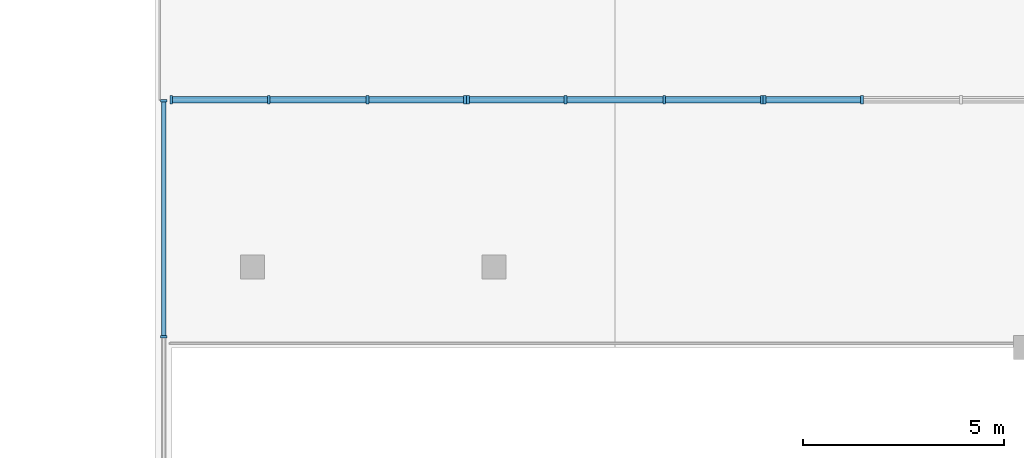
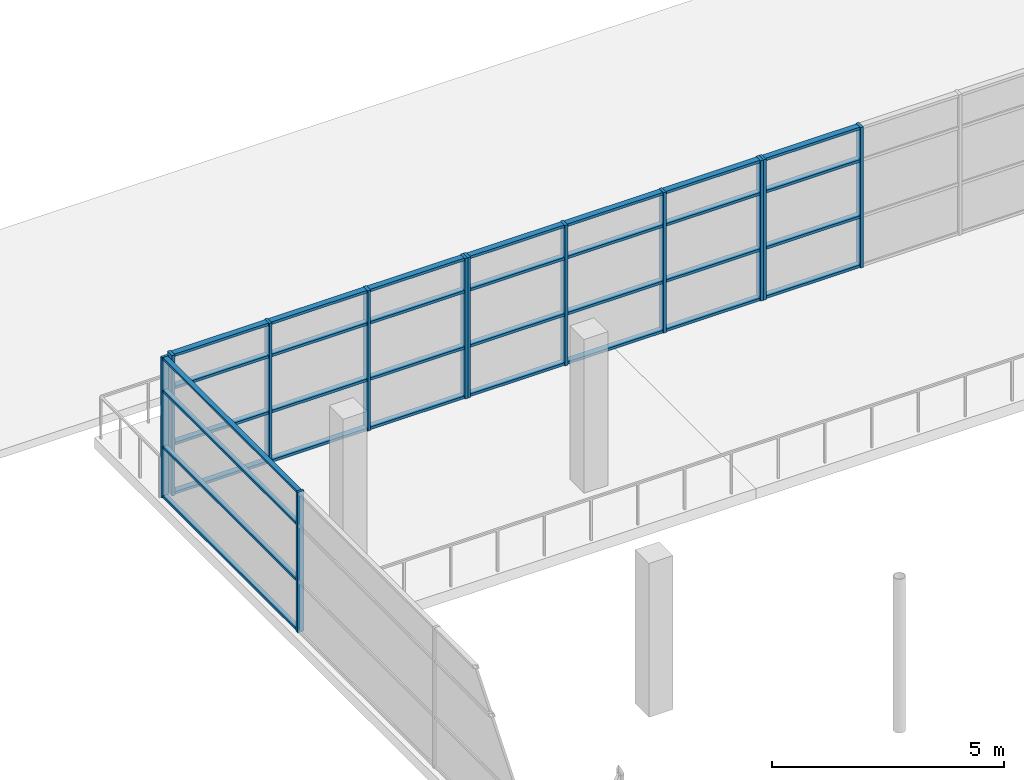
# One storey, part 43 of 87: 44 members, 4 elements without a shape of their own.
"""IFC4 building model written with IfcOpenShell, lengths in metres."""

from ifc_helpers import new_model, si_unit, direction, frame, origin, origin_2d, place, context, subcontext, project, spatial, rectangle, extrude, material, material_profile, profile_set, type_object, element, aggregate, save


model = new_model("IFC4")

# Units and contexts
model_context = context("Model", 3, precision=1e-05, world=origin(), true_north=direction((0.0, 1.0)))
body_context = subcontext(model_context, "Body", "Model", "MODEL_VIEW")
ifc_project = project(units=[si_unit("LENGTHUNIT", "METRE"), si_unit("AREAUNIT", "SQUARE_METRE"), si_unit("VOLUMEUNIT", "CUBIC_METRE"), si_unit("PLANEANGLEUNIT", "RADIAN"), si_unit("MASSUNIT", "GRAM", prefix="KILO")], contexts=[model_context])

# Site, building, storey
site_placement = place(None, origin())
site = spatial("IfcSite", under=ifc_project, at=site_placement, CompositionType="ELEMENT")
building_placement = place(site_placement, origin())
building = spatial("IfcBuilding", under=site, at=building_placement, Name="Saryqyr Civic Hall", CompositionType="ELEMENT")
storey_placement = place(building_placement, frame((0.0, 0.0, 5.10009765625)))
storey = spatial("IfcBuildingStorey", under=building, at=storey_placement, Name="L01", CompositionType="ELEMENT", Elevation=5.10009765625)

# Curtain wall, members
ifc_material_1 = material(Name="Anodised aluminium and triple low-E glass", Category="aluminium")
curtain_wall_type_1 = type_object("IfcCurtainWallType", Name="ENV-CW-STD-72", PredefinedType="NOTDEFINED", material=ifc_material_1)
curtain_wall_1_placement = place(storey_placement, origin())
curtain_wall_1 = element("IfcCurtainWall", 1, at=curtain_wall_1_placement, inside=storey, type_object=curtain_wall_type_1, Name="Curtain wall V2-VESTFLK-NW-L01", PredefinedType="NOTDEFINED")
ifc_material_2 = material(Name="Anodised aluminium", Category="aluminium")
ifc_material_profile_1 = material_profile(ifc_material_2, rectangle(XDim=0.06005859375, YDim=0.159912109375, at=origin_2d()), Name="ALU MULLION 60x160")
ifc_profile_set_1 = profile_set([ifc_material_profile_1], Name="Anodised aluminium")
member_type_1 = type_object("IfcMemberType", Name="ENV-CW-MUL-180", PredefinedType="MULLION", material=ifc_profile_set_1)
member_1_placement = place(storey_placement, frame((45.800048828125, 128.2666015625, 0.0), z_axis=(0.0, 0.0, 1.0), x_axis=(0.0, 1.0, 0.0)))
member_1 = element("IfcMember", 2, at=member_1_placement, type_object=member_type_1, Name="CW-72 mullion 3", PredefinedType="MULLION", context=body_context, shape_type="SweptSolid", body=[
    extrude(rectangle(XDim=0.06005859375, YDim=0.159912109375, at=origin_2d()), origin(), (0.0, 0.0, 1.0), 3.699951171875),
])
member_2_placement = place(storey_placement, frame((45.800048828125, 134.1201171875, 0.0), z_axis=(0.0, 0.0, 1.0), x_axis=(0.0, 1.0, 0.0)))
member_2 = element("IfcMember", 3, at=member_2_placement, type_object=member_type_1, Name="CW-72 mullion 4", PredefinedType="MULLION", context=body_context, shape_type="SweptSolid", body=[
    extrude(rectangle(XDim=0.06005859375, YDim=0.159912109375, at=origin_2d()), origin(), (0.0, 0.0, 1.0), 3.699951171875),
])

curtain_wall_type_2 = type_object("IfcCurtainWallType", Name="ENV-CW-HVY-69", PredefinedType="NOTDEFINED", material=ifc_material_1)
curtain_wall_2_placement = place(storey_placement, origin())
curtain_wall_2 = element("IfcCurtainWall", 4, at=curtain_wall_2_placement, inside=storey, type_object=curtain_wall_type_2, Name="Curtain wall V2-PORTAL-CW-N-L01-0", PredefinedType="NOTDEFINED")
ifc_material_profile_2 = material_profile(ifc_material_2, rectangle(XDim=0.070068359375, YDim=0.199951171875, at=origin_2d()), Name="ALU MULLION 70x200")
ifc_profile_set_2 = profile_set([ifc_material_profile_2], Name="Anodised aluminium")
member_type_2 = type_object("IfcMemberType", Name="ENV-CW-MUL-220", PredefinedType="MULLION", material=ifc_profile_set_2)
member_3_placement = place(storey_placement, frame((45.985107421875, 134.14990234375, 0.0), z_axis=(0.0, 0.0, 1.0), x_axis=(1.0, 0.0, 0.0)))
member_3 = element("IfcMember", 5, at=member_3_placement, type_object=member_type_2, Name="CW-69 mullion 1", PredefinedType="MULLION", context=body_context, shape_type="SweptSolid", body=[
    extrude(rectangle(XDim=0.070068359375, YDim=0.199951171875, at=origin_2d()), origin(), (0.0, 0.0, 1.0), 3.699951171875),
])
member_4_placement = place(storey_placement, frame((48.405517578125, 134.14990234375, 0.0), z_axis=(0.0, 0.0, 1.0), x_axis=(1.0, 0.0, 0.0)))
member_4 = element("IfcMember", 6, at=member_4_placement, type_object=member_type_2, Name="CW-69 mullion 2", PredefinedType="MULLION", context=body_context, shape_type="SweptSolid", body=[
    extrude(rectangle(XDim=0.070068359375, YDim=0.199951171875, at=origin_2d()), origin(), (0.0, 0.0, 1.0), 3.699951171875),
])
member_5_placement = place(storey_placement, frame((50.861083984375, 134.14990234375, 0.0), z_axis=(0.0, 0.0, 1.0), x_axis=(1.0, 0.0, 0.0)))
member_5 = element("IfcMember", 7, at=member_5_placement, type_object=member_type_2, Name="CW-69 mullion 3", PredefinedType="MULLION", context=body_context, shape_type="SweptSolid", body=[
    extrude(rectangle(XDim=0.070068359375, YDim=0.199951171875, at=origin_2d()), origin(), (0.0, 0.0, 1.0), 3.699951171875),
])
member_6_placement = place(storey_placement, frame((53.28173828125, 134.14990234375, 0.0), z_axis=(0.0, 0.0, 1.0), x_axis=(1.0, 0.0, 0.0)))
member_6 = element("IfcMember", 8, at=member_6_placement, type_object=member_type_2, Name="CW-69 mullion 4", PredefinedType="MULLION", context=body_context, shape_type="SweptSolid", body=[
    extrude(rectangle(XDim=0.070068359375, YDim=0.199951171875, at=origin_2d()), origin(), (0.0, 0.0, 1.0), 3.699951171875),
])

curtain_wall_3_placement = place(storey_placement, origin())
curtain_wall_3 = element("IfcCurtainWall", 9, at=curtain_wall_3_placement, inside=storey, type_object=curtain_wall_type_2, Name="Curtain wall V2-PORTAL-CW-N-L01-1", PredefinedType="NOTDEFINED")
member_7_placement = place(storey_placement, frame((53.351806640625, 134.14990234375, 0.0), z_axis=(0.0, 0.0, 1.0), x_axis=(1.0, 0.0, 0.0)))
member_7 = element("IfcMember", 10, at=member_7_placement, type_object=member_type_2, Name="CW-69 mullion 1", PredefinedType="MULLION", context=body_context, shape_type="SweptSolid", body=[
    extrude(rectangle(XDim=0.070068359375, YDim=0.199951171875, at=origin_2d()), origin(), (0.0, 0.0, 1.0), 3.699951171875),
])
member_8_placement = place(storey_placement, frame((55.772216796875, 134.14990234375, 0.0), z_axis=(0.0, 0.0, 1.0), x_axis=(1.0, 0.0, 0.0)))
member_8 = element("IfcMember", 11, at=member_8_placement, type_object=member_type_2, Name="CW-69 mullion 2", PredefinedType="MULLION", context=body_context, shape_type="SweptSolid", body=[
    extrude(rectangle(XDim=0.070068359375, YDim=0.199951171875, at=origin_2d()), origin(), (0.0, 0.0, 1.0), 3.699951171875),
])
member_9_placement = place(storey_placement, frame((58.227783203125, 134.14990234375, 0.0), z_axis=(0.0, 0.0, 1.0), x_axis=(1.0, 0.0, 0.0)))
member_9 = element("IfcMember", 12, at=member_9_placement, type_object=member_type_2, Name="CW-69 mullion 3", PredefinedType="MULLION", context=body_context, shape_type="SweptSolid", body=[
    extrude(rectangle(XDim=0.070068359375, YDim=0.199951171875, at=origin_2d()), origin(), (0.0, 0.0, 1.0), 3.699951171875),
])
member_10_placement = place(storey_placement, frame((60.648193359375, 134.14990234375, 0.0), z_axis=(0.0, 0.0, 1.0), x_axis=(1.0, 0.0, 0.0)))
member_10 = element("IfcMember", 13, at=member_10_placement, type_object=member_type_2, Name="CW-69 mullion 4", PredefinedType="MULLION", context=body_context, shape_type="SweptSolid", body=[
    extrude(rectangle(XDim=0.070068359375, YDim=0.199951171875, at=origin_2d()), origin(), (0.0, 0.0, 1.0), 3.699951171875),
])

curtain_wall_4_placement = place(storey_placement, origin())
curtain_wall_4 = element("IfcCurtainWall", 14, at=curtain_wall_4_placement, inside=storey, type_object=curtain_wall_type_2, Name="Curtain wall V2-PORTAL-CW-N-L01-2", PredefinedType="NOTDEFINED")
member_11_placement = place(storey_placement, frame((60.71826171875, 134.14990234375, 0.0), z_axis=(0.0, 0.0, 1.0), x_axis=(1.0, 0.0, 0.0)))
member_11 = element("IfcMember", 15, at=member_11_placement, type_object=member_type_2, Name="CW-69 mullion 1", PredefinedType="MULLION", context=body_context, shape_type="SweptSolid", body=[
    extrude(rectangle(XDim=0.070068359375, YDim=0.199951171875, at=origin_2d()), origin(), (0.0, 0.0, 1.0), 3.699951171875),
])
member_12_placement = place(storey_placement, frame((63.138916015625, 134.14990234375, 0.0), z_axis=(0.0, 0.0, 1.0), x_axis=(1.0, 0.0, 0.0)))
member_12 = element("IfcMember", 16, at=member_12_placement, type_object=member_type_2, Name="CW-69 mullion 2", PredefinedType="MULLION", context=body_context, shape_type="SweptSolid", body=[
    extrude(rectangle(XDim=0.070068359375, YDim=0.199951171875, at=origin_2d()), origin(), (0.0, 0.0, 1.0), 3.699951171875),
])

# Member
ifc_material_profile_3 = material_profile(ifc_material_2, rectangle(XDim=0.1201171875, YDim=0.06005859375, at=origin_2d()), Name="ALU TRANSOM 120x60")
ifc_profile_set_3 = profile_set([ifc_material_profile_3], Name="Anodised aluminium")
member_type_3 = type_object("IfcMemberType", Name="ENV-CW-TRN-150", PredefinedType="USERDEFINED", material=ifc_profile_set_3)
member_13_placement = place(storey_placement, frame((45.800048828125, 128.296630859375, 0.02978515625), z_axis=(0.0, 1.0, 0.0), x_axis=(-1.0, 0.0, 0.0)))
member_13 = element("IfcMember", 17, at=member_13_placement, type_object=member_type_3, Name="CW-72 transom 3.1", ObjectType="TRANSOM", PredefinedType="USERDEFINED", context=body_context, shape_type="SweptSolid", body=[
    extrude(rectangle(XDim=0.1201171875, YDim=0.06005859375, at=origin_2d()), origin(), (0.0, 0.0, 1.0), 5.79345703125),
])

member_14_placement = place(storey_placement, frame((45.800048828125, 128.296630859375, 1.331787109375), z_axis=(0.0, 1.0, 0.0), x_axis=(-1.0, 0.0, 0.0)))
member_14 = element("IfcMember", 18, at=member_14_placement, type_object=member_type_3, Name="CW-72 transom 3.2", ObjectType="TRANSOM", PredefinedType="USERDEFINED", context=body_context, shape_type="SweptSolid", body=[
    extrude(rectangle(XDim=0.1201171875, YDim=0.06005859375, at=origin_2d()), origin(), (0.0, 0.0, 1.0), 5.79345703125),
])

member_15_placement = place(storey_placement, frame((45.800048828125, 128.296630859375, 2.81201171875), z_axis=(0.0, 1.0, 0.0), x_axis=(-1.0, 0.0, 0.0)))
member_15 = element("IfcMember", 19, at=member_15_placement, type_object=member_type_3, Name="CW-72 transom 3.3", ObjectType="TRANSOM", PredefinedType="USERDEFINED", context=body_context, shape_type="SweptSolid", body=[
    extrude(rectangle(XDim=0.1201171875, YDim=0.06005859375, at=origin_2d()), origin(), (0.0, 0.0, 1.0), 5.79345703125),
])

member_16_placement = place(storey_placement, frame((45.800048828125, 128.296630859375, 3.669921875), z_axis=(0.0, 1.0, 0.0), x_axis=(-1.0, 0.0, 0.0)))
member_16 = element("IfcMember", 20, at=member_16_placement, type_object=member_type_3, Name="CW-72 transom 3.4", ObjectType="TRANSOM", PredefinedType="USERDEFINED", context=body_context, shape_type="SweptSolid", body=[
    extrude(rectangle(XDim=0.1201171875, YDim=0.06005859375, at=origin_2d()), origin(), (0.0, 0.0, 1.0), 5.79345703125),
])

aggregate(curtain_wall_1, [member_1, member_2, member_13, member_14, member_15, member_16])

ifc_material_profile_4 = material_profile(ifc_material_2, rectangle(XDim=0.14990234375, YDim=0.070068359375, at=origin_2d()), Name="ALU TRANSOM 150x70")
ifc_profile_set_4 = profile_set([ifc_material_profile_4], Name="Anodised aluminium")
member_type_4 = type_object("IfcMemberType", Name="ENV-CW-TRN-180", PredefinedType="USERDEFINED", material=ifc_profile_set_4)
member_17_placement = place(storey_placement, frame((46.02001953125, 134.14990234375, 0.034912109375), z_axis=(1.0, 0.0, 0.0), x_axis=(0.0, 1.0, 0.0)))
member_17 = element("IfcMember", 21, at=member_17_placement, type_object=member_type_4, Name="CW-69 transom 1.1", ObjectType="TRANSOM", PredefinedType="USERDEFINED", context=body_context, shape_type="SweptSolid", body=[
    extrude(rectangle(XDim=0.14990234375, YDim=0.070068359375, at=origin_2d()), origin(), (0.0, 0.0, 1.0), 2.3505859375),
])

member_18_placement = place(storey_placement, frame((46.02001953125, 134.14990234375, 1.331787109375), z_axis=(1.0, 0.0, 0.0), x_axis=(0.0, 1.0, 0.0)))
member_18 = element("IfcMember", 22, at=member_18_placement, type_object=member_type_4, Name="CW-69 transom 1.2", ObjectType="TRANSOM", PredefinedType="USERDEFINED", context=body_context, shape_type="SweptSolid", body=[
    extrude(rectangle(XDim=0.14990234375, YDim=0.070068359375, at=origin_2d()), origin(), (0.0, 0.0, 1.0), 2.3505859375),
])

member_19_placement = place(storey_placement, frame((46.02001953125, 134.14990234375, 2.81201171875), z_axis=(1.0, 0.0, 0.0), x_axis=(0.0, 1.0, 0.0)))
member_19 = element("IfcMember", 23, at=member_19_placement, type_object=member_type_4, Name="CW-69 transom 1.3", ObjectType="TRANSOM", PredefinedType="USERDEFINED", context=body_context, shape_type="SweptSolid", body=[
    extrude(rectangle(XDim=0.14990234375, YDim=0.070068359375, at=origin_2d()), origin(), (0.0, 0.0, 1.0), 2.3505859375),
])

member_20_placement = place(storey_placement, frame((46.02001953125, 134.14990234375, 3.664794921875), z_axis=(1.0, 0.0, 0.0), x_axis=(0.0, 1.0, 0.0)))
member_20 = element("IfcMember", 24, at=member_20_placement, type_object=member_type_4, Name="CW-69 transom 1.4", ObjectType="TRANSOM", PredefinedType="USERDEFINED", context=body_context, shape_type="SweptSolid", body=[
    extrude(rectangle(XDim=0.14990234375, YDim=0.070068359375, at=origin_2d()), origin(), (0.0, 0.0, 1.0), 2.3505859375),
])

member_21_placement = place(storey_placement, frame((48.440673828125, 134.14990234375, 0.034912109375), z_axis=(1.0, 0.0, 0.0), x_axis=(0.0, 1.0, 0.0)))
member_21 = element("IfcMember", 25, at=member_21_placement, type_object=member_type_4, Name="CW-69 transom 2.1", ObjectType="TRANSOM", PredefinedType="USERDEFINED", context=body_context, shape_type="SweptSolid", body=[
    extrude(rectangle(XDim=0.14990234375, YDim=0.070068359375, at=origin_2d()), origin(), (0.0, 0.0, 1.0), 2.385498046875),
])

member_22_placement = place(storey_placement, frame((48.440673828125, 134.14990234375, 1.331787109375), z_axis=(1.0, 0.0, 0.0), x_axis=(0.0, 1.0, 0.0)))
member_22 = element("IfcMember", 26, at=member_22_placement, type_object=member_type_4, Name="CW-69 transom 2.2", ObjectType="TRANSOM", PredefinedType="USERDEFINED", context=body_context, shape_type="SweptSolid", body=[
    extrude(rectangle(XDim=0.14990234375, YDim=0.070068359375, at=origin_2d()), origin(), (0.0, 0.0, 1.0), 2.385498046875),
])

member_23_placement = place(storey_placement, frame((48.440673828125, 134.14990234375, 2.81201171875), z_axis=(1.0, 0.0, 0.0), x_axis=(0.0, 1.0, 0.0)))
member_23 = element("IfcMember", 27, at=member_23_placement, type_object=member_type_4, Name="CW-69 transom 2.3", ObjectType="TRANSOM", PredefinedType="USERDEFINED", context=body_context, shape_type="SweptSolid", body=[
    extrude(rectangle(XDim=0.14990234375, YDim=0.070068359375, at=origin_2d()), origin(), (0.0, 0.0, 1.0), 2.385498046875),
])

member_24_placement = place(storey_placement, frame((48.440673828125, 134.14990234375, 3.664794921875), z_axis=(1.0, 0.0, 0.0), x_axis=(0.0, 1.0, 0.0)))
member_24 = element("IfcMember", 28, at=member_24_placement, type_object=member_type_4, Name="CW-69 transom 2.4", ObjectType="TRANSOM", PredefinedType="USERDEFINED", context=body_context, shape_type="SweptSolid", body=[
    extrude(rectangle(XDim=0.14990234375, YDim=0.070068359375, at=origin_2d()), origin(), (0.0, 0.0, 1.0), 2.385498046875),
])

member_25_placement = place(storey_placement, frame((50.896240234375, 134.14990234375, 0.034912109375), z_axis=(1.0, 0.0, 0.0), x_axis=(0.0, 1.0, 0.0)))
member_25 = element("IfcMember", 29, at=member_25_placement, type_object=member_type_4, Name="CW-69 transom 3.1", ObjectType="TRANSOM", PredefinedType="USERDEFINED", context=body_context, shape_type="SweptSolid", body=[
    extrude(rectangle(XDim=0.14990234375, YDim=0.070068359375, at=origin_2d()), origin(), (0.0, 0.0, 1.0), 2.350341796875),
])

member_26_placement = place(storey_placement, frame((50.896240234375, 134.14990234375, 1.331787109375), z_axis=(1.0, 0.0, 0.0), x_axis=(0.0, 1.0, 0.0)))
member_26 = element("IfcMember", 30, at=member_26_placement, type_object=member_type_4, Name="CW-69 transom 3.2", ObjectType="TRANSOM", PredefinedType="USERDEFINED", context=body_context, shape_type="SweptSolid", body=[
    extrude(rectangle(XDim=0.14990234375, YDim=0.070068359375, at=origin_2d()), origin(), (0.0, 0.0, 1.0), 2.350341796875),
])

member_27_placement = place(storey_placement, frame((50.896240234375, 134.14990234375, 2.81201171875), z_axis=(1.0, 0.0, 0.0), x_axis=(0.0, 1.0, 0.0)))
member_27 = element("IfcMember", 31, at=member_27_placement, type_object=member_type_4, Name="CW-69 transom 3.3", ObjectType="TRANSOM", PredefinedType="USERDEFINED", context=body_context, shape_type="SweptSolid", body=[
    extrude(rectangle(XDim=0.14990234375, YDim=0.070068359375, at=origin_2d()), origin(), (0.0, 0.0, 1.0), 2.350341796875),
])

member_28_placement = place(storey_placement, frame((50.896240234375, 134.14990234375, 3.664794921875), z_axis=(1.0, 0.0, 0.0), x_axis=(0.0, 1.0, 0.0)))
member_28 = element("IfcMember", 32, at=member_28_placement, type_object=member_type_4, Name="CW-69 transom 3.4", ObjectType="TRANSOM", PredefinedType="USERDEFINED", context=body_context, shape_type="SweptSolid", body=[
    extrude(rectangle(XDim=0.14990234375, YDim=0.070068359375, at=origin_2d()), origin(), (0.0, 0.0, 1.0), 2.350341796875),
])

aggregate(curtain_wall_2, [member_3, member_4, member_5, member_6, member_17, member_18, member_19, member_20, member_21, member_22, member_23, member_24, member_25, member_26, member_27, member_28])

member_29_placement = place(storey_placement, frame((53.38671875, 134.14990234375, 0.034912109375), z_axis=(1.0, 0.0, 0.0), x_axis=(0.0, 1.0, 0.0)))
member_29 = element("IfcMember", 33, at=member_29_placement, type_object=member_type_4, Name="CW-69 transom 1.1", ObjectType="TRANSOM", PredefinedType="USERDEFINED", context=body_context, shape_type="SweptSolid", body=[
    extrude(rectangle(XDim=0.14990234375, YDim=0.070068359375, at=origin_2d()), origin(), (0.0, 0.0, 1.0), 2.3505859375),
])

member_30_placement = place(storey_placement, frame((53.38671875, 134.14990234375, 1.331787109375), z_axis=(1.0, 0.0, 0.0), x_axis=(0.0, 1.0, 0.0)))
member_30 = element("IfcMember", 34, at=member_30_placement, type_object=member_type_4, Name="CW-69 transom 1.2", ObjectType="TRANSOM", PredefinedType="USERDEFINED", context=body_context, shape_type="SweptSolid", body=[
    extrude(rectangle(XDim=0.14990234375, YDim=0.070068359375, at=origin_2d()), origin(), (0.0, 0.0, 1.0), 2.3505859375),
])

member_31_placement = place(storey_placement, frame((53.38671875, 134.14990234375, 2.81201171875), z_axis=(1.0, 0.0, 0.0), x_axis=(0.0, 1.0, 0.0)))
member_31 = element("IfcMember", 35, at=member_31_placement, type_object=member_type_4, Name="CW-69 transom 1.3", ObjectType="TRANSOM", PredefinedType="USERDEFINED", context=body_context, shape_type="SweptSolid", body=[
    extrude(rectangle(XDim=0.14990234375, YDim=0.070068359375, at=origin_2d()), origin(), (0.0, 0.0, 1.0), 2.3505859375),
])

member_32_placement = place(storey_placement, frame((53.38671875, 134.14990234375, 3.664794921875), z_axis=(1.0, 0.0, 0.0), x_axis=(0.0, 1.0, 0.0)))
member_32 = element("IfcMember", 36, at=member_32_placement, type_object=member_type_4, Name="CW-69 transom 1.4", ObjectType="TRANSOM", PredefinedType="USERDEFINED", context=body_context, shape_type="SweptSolid", body=[
    extrude(rectangle(XDim=0.14990234375, YDim=0.070068359375, at=origin_2d()), origin(), (0.0, 0.0, 1.0), 2.3505859375),
])

member_33_placement = place(storey_placement, frame((55.80712890625, 134.14990234375, 0.034912109375), z_axis=(1.0, 0.0, 0.0), x_axis=(0.0, 1.0, 0.0)))
member_33 = element("IfcMember", 37, at=member_33_placement, type_object=member_type_4, Name="CW-69 transom 2.1", ObjectType="TRANSOM", PredefinedType="USERDEFINED", context=body_context, shape_type="SweptSolid", body=[
    extrude(rectangle(XDim=0.14990234375, YDim=0.070068359375, at=origin_2d()), origin(), (0.0, 0.0, 1.0), 2.3857421875),
])

member_34_placement = place(storey_placement, frame((55.80712890625, 134.14990234375, 1.331787109375), z_axis=(1.0, 0.0, 0.0), x_axis=(0.0, 1.0, 0.0)))
member_34 = element("IfcMember", 38, at=member_34_placement, type_object=member_type_4, Name="CW-69 transom 2.2", ObjectType="TRANSOM", PredefinedType="USERDEFINED", context=body_context, shape_type="SweptSolid", body=[
    extrude(rectangle(XDim=0.14990234375, YDim=0.070068359375, at=origin_2d()), origin(), (0.0, 0.0, 1.0), 2.3857421875),
])

member_35_placement = place(storey_placement, frame((55.80712890625, 134.14990234375, 2.81201171875), z_axis=(1.0, 0.0, 0.0), x_axis=(0.0, 1.0, 0.0)))
member_35 = element("IfcMember", 39, at=member_35_placement, type_object=member_type_4, Name="CW-69 transom 2.3", ObjectType="TRANSOM", PredefinedType="USERDEFINED", context=body_context, shape_type="SweptSolid", body=[
    extrude(rectangle(XDim=0.14990234375, YDim=0.070068359375, at=origin_2d()), origin(), (0.0, 0.0, 1.0), 2.3857421875),
])

member_36_placement = place(storey_placement, frame((55.80712890625, 134.14990234375, 3.664794921875), z_axis=(1.0, 0.0, 0.0), x_axis=(0.0, 1.0, 0.0)))
member_36 = element("IfcMember", 40, at=member_36_placement, type_object=member_type_4, Name="CW-69 transom 2.4", ObjectType="TRANSOM", PredefinedType="USERDEFINED", context=body_context, shape_type="SweptSolid", body=[
    extrude(rectangle(XDim=0.14990234375, YDim=0.070068359375, at=origin_2d()), origin(), (0.0, 0.0, 1.0), 2.3857421875),
])

member_37_placement = place(storey_placement, frame((58.2626953125, 134.14990234375, 0.034912109375), z_axis=(1.0, 0.0, 0.0), x_axis=(0.0, 1.0, 0.0)))
member_37 = element("IfcMember", 41, at=member_37_placement, type_object=member_type_4, Name="CW-69 transom 3.1", ObjectType="TRANSOM", PredefinedType="USERDEFINED", context=body_context, shape_type="SweptSolid", body=[
    extrude(rectangle(XDim=0.14990234375, YDim=0.070068359375, at=origin_2d()), origin(), (0.0, 0.0, 1.0), 2.3505859375),
])

member_38_placement = place(storey_placement, frame((58.2626953125, 134.14990234375, 1.331787109375), z_axis=(1.0, 0.0, 0.0), x_axis=(0.0, 1.0, 0.0)))
member_38 = element("IfcMember", 42, at=member_38_placement, type_object=member_type_4, Name="CW-69 transom 3.2", ObjectType="TRANSOM", PredefinedType="USERDEFINED", context=body_context, shape_type="SweptSolid", body=[
    extrude(rectangle(XDim=0.14990234375, YDim=0.070068359375, at=origin_2d()), origin(), (0.0, 0.0, 1.0), 2.3505859375),
])

member_39_placement = place(storey_placement, frame((58.2626953125, 134.14990234375, 2.81201171875), z_axis=(1.0, 0.0, 0.0), x_axis=(0.0, 1.0, 0.0)))
member_39 = element("IfcMember", 43, at=member_39_placement, type_object=member_type_4, Name="CW-69 transom 3.3", ObjectType="TRANSOM", PredefinedType="USERDEFINED", context=body_context, shape_type="SweptSolid", body=[
    extrude(rectangle(XDim=0.14990234375, YDim=0.070068359375, at=origin_2d()), origin(), (0.0, 0.0, 1.0), 2.3505859375),
])

member_40_placement = place(storey_placement, frame((58.2626953125, 134.14990234375, 3.664794921875), z_axis=(1.0, 0.0, 0.0), x_axis=(0.0, 1.0, 0.0)))
member_40 = element("IfcMember", 44, at=member_40_placement, type_object=member_type_4, Name="CW-69 transom 3.4", ObjectType="TRANSOM", PredefinedType="USERDEFINED", context=body_context, shape_type="SweptSolid", body=[
    extrude(rectangle(XDim=0.14990234375, YDim=0.070068359375, at=origin_2d()), origin(), (0.0, 0.0, 1.0), 2.3505859375),
])

aggregate(curtain_wall_3, [member_7, member_8, member_9, member_10, member_29, member_30, member_31, member_32, member_33, member_34, member_35, member_36, member_37, member_38, member_39, member_40])

member_41_placement = place(storey_placement, frame((60.75341796875, 134.14990234375, 0.034912109375), z_axis=(1.0, 0.0, 0.0), x_axis=(0.0, 1.0, 0.0)))
member_41 = element("IfcMember", 45, at=member_41_placement, type_object=member_type_4, Name="CW-69 transom 1.1", ObjectType="TRANSOM", PredefinedType="USERDEFINED", context=body_context, shape_type="SweptSolid", body=[
    extrude(rectangle(XDim=0.14990234375, YDim=0.070068359375, at=origin_2d()), origin(), (0.0, 0.0, 1.0), 2.350341796875),
])

member_42_placement = place(storey_placement, frame((60.75341796875, 134.14990234375, 1.331787109375), z_axis=(1.0, 0.0, 0.0), x_axis=(0.0, 1.0, 0.0)))
member_42 = element("IfcMember", 46, at=member_42_placement, type_object=member_type_4, Name="CW-69 transom 1.2", ObjectType="TRANSOM", PredefinedType="USERDEFINED", context=body_context, shape_type="SweptSolid", body=[
    extrude(rectangle(XDim=0.14990234375, YDim=0.070068359375, at=origin_2d()), origin(), (0.0, 0.0, 1.0), 2.350341796875),
])

member_43_placement = place(storey_placement, frame((60.75341796875, 134.14990234375, 2.81201171875), z_axis=(1.0, 0.0, 0.0), x_axis=(0.0, 1.0, 0.0)))
member_43 = element("IfcMember", 47, at=member_43_placement, type_object=member_type_4, Name="CW-69 transom 1.3", ObjectType="TRANSOM", PredefinedType="USERDEFINED", context=body_context, shape_type="SweptSolid", body=[
    extrude(rectangle(XDim=0.14990234375, YDim=0.070068359375, at=origin_2d()), origin(), (0.0, 0.0, 1.0), 2.350341796875),
])

member_44_placement = place(storey_placement, frame((60.75341796875, 134.14990234375, 3.664794921875), z_axis=(1.0, 0.0, 0.0), x_axis=(0.0, 1.0, 0.0)))
member_44 = element("IfcMember", 48, at=member_44_placement, type_object=member_type_4, Name="CW-69 transom 1.4", ObjectType="TRANSOM", PredefinedType="USERDEFINED", context=body_context, shape_type="SweptSolid", body=[
    extrude(rectangle(XDim=0.14990234375, YDim=0.070068359375, at=origin_2d()), origin(), (0.0, 0.0, 1.0), 2.350341796875),
])

aggregate(curtain_wall_4, [member_11, member_12, member_41, member_42, member_43, member_44])

save(model, "model.ifc")
